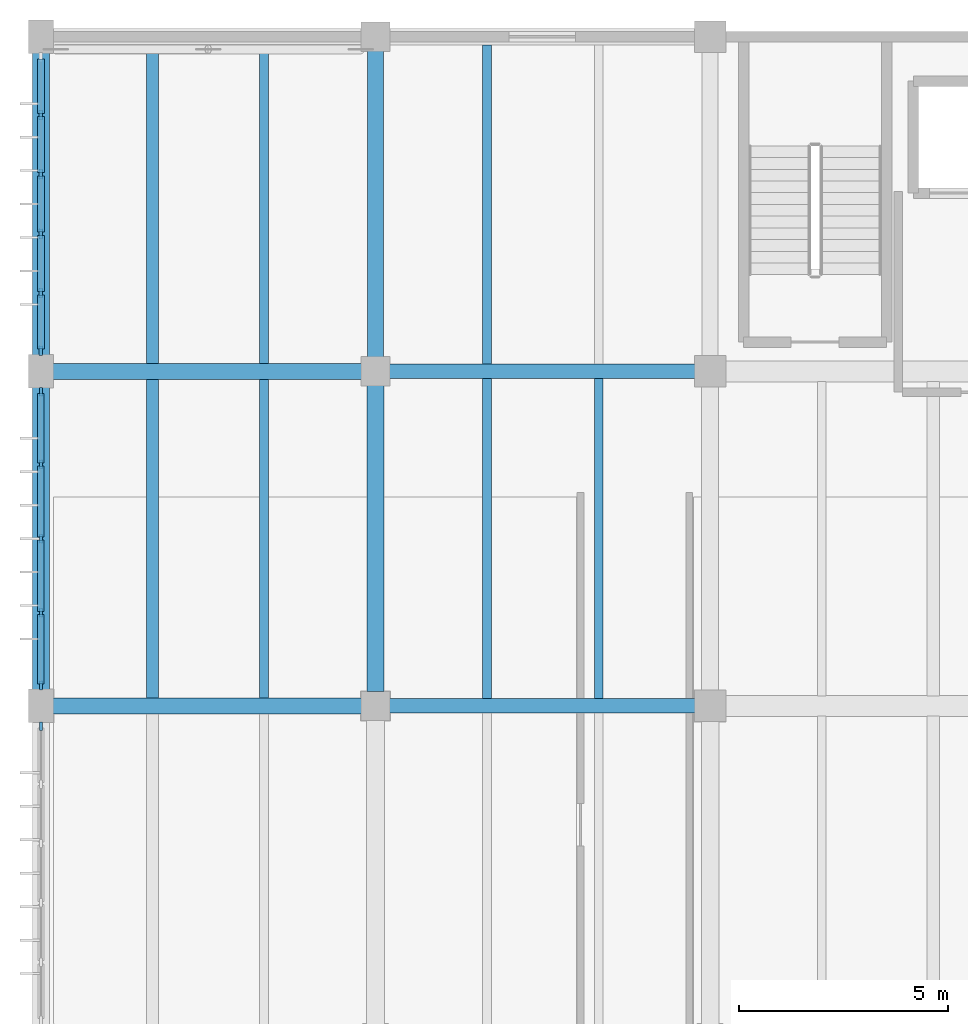
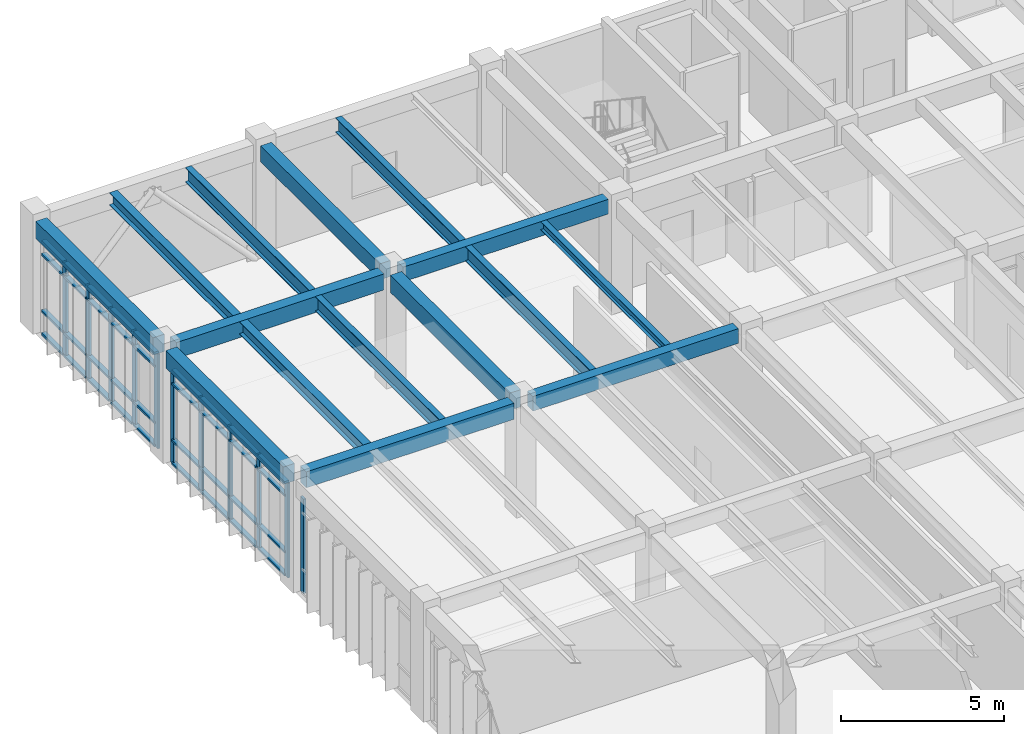
# One storey, part 20 of 79: 47 members, 15 beams, 3 elements without a shape of their own.
"""IFC4 building model written with IfcOpenShell, lengths in metres."""

from ifc_helpers import new_model, si_unit, direction, frame, origin, origin_2d, place, context, subcontext, project, spatial, rectangle, i_section, extrude, material, material_profile, profile_set, type_object, element, aggregate, save


model = new_model("IFC4")

# Units and contexts
model_context = context("Model", 3, precision=1e-05, world=origin(), true_north=direction((0.0, 1.0)))
body_context = subcontext(model_context, "Body", "Model", "MODEL_VIEW")
ifc_project = project(units=[si_unit("LENGTHUNIT", "METRE"), si_unit("AREAUNIT", "SQUARE_METRE"), si_unit("VOLUMEUNIT", "CUBIC_METRE"), si_unit("PLANEANGLEUNIT", "RADIAN"), si_unit("MASSUNIT", "GRAM", prefix="KILO")], contexts=[model_context])

# Site, building, storey
site_placement = place(None, origin())
site = spatial("IfcSite", under=ifc_project, at=site_placement, CompositionType="ELEMENT")
building_placement = place(site_placement, origin())
building = spatial("IfcBuilding", under=site, at=building_placement, Name="Tlaxcora Railside Police Headquarters", CompositionType="ELEMENT")
storey_placement = place(building_placement, frame((0.0, 0.0, 9.0)))
storey = spatial("IfcBuildingStorey", under=building, at=storey_placement, Name="L02", CompositionType="ELEMENT", Elevation=9.0)

# Curtain wall, members
ifc_material_1 = material(Name="Thermally broken low-E insulated glazing", Category="glass")
curtain_wall_type_1 = type_object("IfcCurtainWallType", Name="Unitised Curtain Wall Assembly CW-23", PredefinedType="NOTDEFINED", material=ifc_material_1)
curtain_wall_1_placement = place(storey_placement, origin())
curtain_wall_1 = element("IfcCurtainWall", 1, at=curtain_wall_1_placement, inside=storey, type_object=curtain_wall_type_1, Name="V5 L02 curtain wall 64", PredefinedType="NOTDEFINED")
ifc_material_2 = material(Name="Anodised aluminium framing", Category="aluminium")
ifc_material_profile_1 = material_profile(ifc_material_2, rectangle(XDim=0.080078125, YDim=0.219970703125, at=origin_2d()), Name="AL80X220")
ifc_profile_set_1 = profile_set([ifc_material_profile_1], Name="Anodised aluminium framing")
member_type_1 = type_object("IfcMemberType", Name="Curtain Wall Mullion CW-31", PredefinedType="MULLION", material=ifc_profile_set_1)
member_1_placement = place(storey_placement, frame((5.199951171875, 90.929931640625, 0.0), z_axis=(0.0, 0.0, 1.0), x_axis=(1.0, 0.0, 0.0)))
member_1 = element("IfcMember", 2, at=member_1_placement, type_object=member_type_1, Name="CW mullion 2", PredefinedType="MULLION", context=body_context, shape_type="SweptSolid", body=[
    extrude(rectangle(XDim=0.080078125, YDim=0.219970703125, at=origin_2d()), origin(), (0.0, 0.0, 1.0), 3.550048828125),
])
member_2_placement = place(storey_placement, frame((5.199951171875, 89.510009765625, 0.0), z_axis=(0.0, 0.0, 1.0), x_axis=(1.0, 0.0, 0.0)))
member_2 = element("IfcMember", 3, at=member_2_placement, type_object=member_type_1, Name="CW mullion 3", PredefinedType="MULLION", context=body_context, shape_type="SweptSolid", body=[
    extrude(rectangle(XDim=0.080078125, YDim=0.219970703125, at=origin_2d()), origin(), (0.0, 0.0, 1.0), 3.550048828125),
])
member_3_placement = place(storey_placement, frame((5.199951171875, 88.090087890625, 0.0), z_axis=(0.0, 0.0, 1.0), x_axis=(1.0, 0.0, 0.0)))
member_3 = element("IfcMember", 4, at=member_3_placement, type_object=member_type_1, Name="CW mullion 4", PredefinedType="MULLION", context=body_context, shape_type="SweptSolid", body=[
    extrude(rectangle(XDim=0.080078125, YDim=0.219970703125, at=origin_2d()), origin(), (0.0, 0.0, 1.0), 3.550048828125),
])
member_4_placement = place(storey_placement, frame((5.199951171875, 86.669921875, 0.0), z_axis=(0.0, 0.0, 1.0), x_axis=(1.0, 0.0, 0.0)))
member_4 = element("IfcMember", 5, at=member_4_placement, type_object=member_type_1, Name="CW mullion 5", PredefinedType="MULLION", context=body_context, shape_type="SweptSolid", body=[
    extrude(rectangle(XDim=0.080078125, YDim=0.219970703125, at=origin_2d()), origin(), (0.0, 0.0, 1.0), 3.550048828125),
])
member_5_placement = place(storey_placement, frame((5.199951171875, 85.2900390625, 0.0), z_axis=(0.0, 0.0, 1.0), x_axis=(1.0, 0.0, 0.0)))
member_5 = element("IfcMember", 6, at=member_5_placement, type_object=member_type_1, Name="CW mullion 6", PredefinedType="MULLION", context=body_context, shape_type="SweptSolid", body=[
    extrude(rectangle(XDim=0.080078125, YDim=0.219970703125, at=origin_2d()), origin(), (0.0, 0.0, 1.0), 3.550048828125),
])

curtain_wall_type_2 = type_object("IfcCurtainWallType", Name="Unitised Curtain Wall Assembly CW-38", PredefinedType="NOTDEFINED", material=ifc_material_1)
curtain_wall_2_placement = place(storey_placement, origin())
curtain_wall_2 = element("IfcCurtainWall", 7, at=curtain_wall_2_placement, inside=storey, type_object=curtain_wall_type_2, Name="V5 L02 curtain wall 65", PredefinedType="NOTDEFINED")
ifc_material_profile_2 = material_profile(ifc_material_2, rectangle(XDim=0.074951171875, YDim=0.205078125, at=origin_2d()), Name="AL75X205")
ifc_profile_set_2 = profile_set([ifc_material_profile_2], Name="Anodised aluminium framing")
member_type_2 = type_object("IfcMemberType", Name="Curtain Wall Mullion CW-32", PredefinedType="MULLION", material=ifc_profile_set_2)
member_6_placement = place(storey_placement, frame((5.199951171875, 84.3125, 0.0), z_axis=(0.0, 0.0, 1.0), x_axis=(1.0, 0.0, 0.0)))
member_6 = element("IfcMember", 8, at=member_6_placement, type_object=member_type_2, Name="CW mullion 1", PredefinedType="MULLION", context=body_context, shape_type="SweptSolid", body=[
    extrude(rectangle(XDim=0.074951171875, YDim=0.205078125, at=origin_2d()), origin(), (0.0, 0.0, 1.0), 3.550048828125),
])
member_7_placement = place(storey_placement, frame((5.199951171875, 82.574951171875, 0.0), z_axis=(0.0, 0.0, 1.0), x_axis=(1.0, 0.0, 0.0)))
member_7 = element("IfcMember", 9, at=member_7_placement, type_object=member_type_2, Name="CW mullion 2", PredefinedType="MULLION", context=body_context, shape_type="SweptSolid", body=[
    extrude(rectangle(XDim=0.074951171875, YDim=0.205078125, at=origin_2d()), origin(), (0.0, 0.0, 1.0), 3.550048828125),
])
member_8_placement = place(storey_placement, frame((5.199951171875, 80.800048828125, 0.0), z_axis=(0.0, 0.0, 1.0), x_axis=(1.0, 0.0, 0.0)))
member_8 = element("IfcMember", 10, at=member_8_placement, type_object=member_type_2, Name="CW mullion 3", PredefinedType="MULLION", context=body_context, shape_type="SweptSolid", body=[
    extrude(rectangle(XDim=0.074951171875, YDim=0.205078125, at=origin_2d()), origin(), (0.0, 0.0, 1.0), 3.550048828125),
])
member_9_placement = place(storey_placement, frame((5.199951171875, 79.02490234375, 0.0), z_axis=(0.0, 0.0, 1.0), x_axis=(1.0, 0.0, 0.0)))
member_9 = element("IfcMember", 11, at=member_9_placement, type_object=member_type_2, Name="CW mullion 4", PredefinedType="MULLION", context=body_context, shape_type="SweptSolid", body=[
    extrude(rectangle(XDim=0.074951171875, YDim=0.205078125, at=origin_2d()), origin(), (0.0, 0.0, 1.0), 3.550048828125),
])
member_10_placement = place(storey_placement, frame((5.199951171875, 77.28759765625, 0.0), z_axis=(0.0, 0.0, 1.0), x_axis=(1.0, 0.0, 0.0)))
member_10 = element("IfcMember", 12, at=member_10_placement, type_object=member_type_2, Name="CW mullion 5", PredefinedType="MULLION", context=body_context, shape_type="SweptSolid", body=[
    extrude(rectangle(XDim=0.074951171875, YDim=0.205078125, at=origin_2d()), origin(), (0.0, 0.0, 1.0), 3.550048828125),
])

# Curtain wall, member
curtain_wall_type_3 = type_object("IfcCurtainWallType", Name="Unitised Curtain Wall Assembly CW-15", PredefinedType="NOTDEFINED", material=ifc_material_1)
curtain_wall_3_placement = place(storey_placement, origin())
curtain_wall_3 = element("IfcCurtainWall", 13, at=curtain_wall_3_placement, inside=storey, type_object=curtain_wall_type_3, Name="V5 L02 curtain wall 66", PredefinedType="NOTDEFINED")
ifc_material_profile_3 = material_profile(ifc_material_2, rectangle(XDim=0.074951171875, YDim=0.199951171875, at=origin_2d()), Name="AL75X200")
ifc_profile_set_3 = profile_set([ifc_material_profile_3], Name="Anodised aluminium framing")
member_type_3 = type_object("IfcMemberType", Name="Curtain Wall Mullion CW-58", PredefinedType="MULLION", material=ifc_profile_set_3)
member_11_placement = place(storey_placement, frame((5.199951171875, 76.3125, 0.0), z_axis=(0.0, 0.0, 1.0), x_axis=(1.0, 0.0, 0.0)))
member_11 = element("IfcMember", 14, at=member_11_placement, type_object=member_type_3, Name="CW mullion 1", PredefinedType="MULLION", context=body_context, shape_type="SweptSolid", body=[
    extrude(rectangle(XDim=0.074951171875, YDim=0.199951171875, at=origin_2d()), origin(), (0.0, 0.0, 1.0), 3.550048828125),
])
aggregate(curtain_wall_3, [member_11])

# Member
ifc_material_profile_4 = material_profile(ifc_material_2, rectangle(XDim=0.155029296875, YDim=0.074951171875, at=origin_2d()), Name="AL75X155")
ifc_profile_set_4 = profile_set([ifc_material_profile_4], Name="Anodised aluminium framing")
member_type_4 = type_object("IfcMemberType", Name="Curtain Wall Transom CW-30", PredefinedType="USERDEFINED", material=ifc_profile_set_4)
member_12_placement = place(storey_placement, frame((5.199951171875, 84.27490234375, 0.03759765625), z_axis=(0.0, -1.0, 0.0), x_axis=(1.0, 0.0, 0.0)))
member_12 = element("IfcMember", 15, at=member_12_placement, type_object=member_type_4, Name="CW transom 1.1", ObjectType="TRANSOM", PredefinedType="USERDEFINED", context=body_context, shape_type="SweptSolid", body=[
    extrude(rectangle(XDim=0.155029296875, YDim=0.074951171875, at=origin_2d()), origin(), (0.0, 0.0, 1.0), 1.662353515625),
])

member_13_placement = place(storey_placement, frame((5.199951171875, 84.27490234375, 0.89990234375), z_axis=(0.0, -1.0, 0.0), x_axis=(1.0, 0.0, 0.0)))
member_13 = element("IfcMember", 16, at=member_13_placement, type_object=member_type_4, Name="CW transom 1.2", ObjectType="TRANSOM", PredefinedType="USERDEFINED", context=body_context, shape_type="SweptSolid", body=[
    extrude(rectangle(XDim=0.155029296875, YDim=0.074951171875, at=origin_2d()), origin(), (0.0, 0.0, 1.0), 1.662353515625),
])

member_14_placement = place(storey_placement, frame((5.199951171875, 84.27490234375, 3.02001953125), z_axis=(0.0, -1.0, 0.0), x_axis=(1.0, 0.0, 0.0)))
member_14 = element("IfcMember", 17, at=member_14_placement, type_object=member_type_4, Name="CW transom 1.3", ObjectType="TRANSOM", PredefinedType="USERDEFINED", context=body_context, shape_type="SweptSolid", body=[
    extrude(rectangle(XDim=0.155029296875, YDim=0.074951171875, at=origin_2d()), origin(), (0.0, 0.0, 1.0), 1.662353515625),
])

member_15_placement = place(storey_placement, frame((5.199951171875, 84.27490234375, 3.512451171875), z_axis=(0.0, -1.0, 0.0), x_axis=(1.0, 0.0, 0.0)))
member_15 = element("IfcMember", 18, at=member_15_placement, type_object=member_type_4, Name="CW transom 1.4", ObjectType="TRANSOM", PredefinedType="USERDEFINED", context=body_context, shape_type="SweptSolid", body=[
    extrude(rectangle(XDim=0.155029296875, YDim=0.074951171875, at=origin_2d()), origin(), (0.0, 0.0, 1.0), 1.662353515625),
])

member_16_placement = place(storey_placement, frame((5.199951171875, 82.53759765625, 0.03759765625), z_axis=(0.0, -1.0, 0.0), x_axis=(1.0, 0.0, 0.0)))
member_16 = element("IfcMember", 19, at=member_16_placement, type_object=member_type_4, Name="CW transom 2.1", ObjectType="TRANSOM", PredefinedType="USERDEFINED", context=body_context, shape_type="SweptSolid", body=[
    extrude(rectangle(XDim=0.155029296875, YDim=0.074951171875, at=origin_2d()), origin(), (0.0, 0.0, 1.0), 1.7001953125),
])

member_17_placement = place(storey_placement, frame((5.199951171875, 82.53759765625, 0.89990234375), z_axis=(0.0, -1.0, 0.0), x_axis=(1.0, 0.0, 0.0)))
member_17 = element("IfcMember", 20, at=member_17_placement, type_object=member_type_4, Name="CW transom 2.2", ObjectType="TRANSOM", PredefinedType="USERDEFINED", context=body_context, shape_type="SweptSolid", body=[
    extrude(rectangle(XDim=0.155029296875, YDim=0.074951171875, at=origin_2d()), origin(), (0.0, 0.0, 1.0), 1.7001953125),
])

member_18_placement = place(storey_placement, frame((5.199951171875, 82.53759765625, 3.02001953125), z_axis=(0.0, -1.0, 0.0), x_axis=(1.0, 0.0, 0.0)))
member_18 = element("IfcMember", 21, at=member_18_placement, type_object=member_type_4, Name="CW transom 2.3", ObjectType="TRANSOM", PredefinedType="USERDEFINED", context=body_context, shape_type="SweptSolid", body=[
    extrude(rectangle(XDim=0.155029296875, YDim=0.074951171875, at=origin_2d()), origin(), (0.0, 0.0, 1.0), 1.7001953125),
])

member_19_placement = place(storey_placement, frame((5.199951171875, 82.53759765625, 3.512451171875), z_axis=(0.0, -1.0, 0.0), x_axis=(1.0, 0.0, 0.0)))
member_19 = element("IfcMember", 22, at=member_19_placement, type_object=member_type_4, Name="CW transom 2.4", ObjectType="TRANSOM", PredefinedType="USERDEFINED", context=body_context, shape_type="SweptSolid", body=[
    extrude(rectangle(XDim=0.155029296875, YDim=0.074951171875, at=origin_2d()), origin(), (0.0, 0.0, 1.0), 1.7001953125),
])

member_20_placement = place(storey_placement, frame((5.199951171875, 80.762451171875, 0.03759765625), z_axis=(0.0, -1.0, 0.0), x_axis=(1.0, 0.0, 0.0)))
member_20 = element("IfcMember", 23, at=member_20_placement, type_object=member_type_4, Name="CW transom 3.1", ObjectType="TRANSOM", PredefinedType="USERDEFINED", context=body_context, shape_type="SweptSolid", body=[
    extrude(rectangle(XDim=0.155029296875, YDim=0.074951171875, at=origin_2d()), origin(), (0.0, 0.0, 1.0), 1.699951171875),
])

member_21_placement = place(storey_placement, frame((5.199951171875, 80.762451171875, 0.89990234375), z_axis=(0.0, -1.0, 0.0), x_axis=(1.0, 0.0, 0.0)))
member_21 = element("IfcMember", 24, at=member_21_placement, type_object=member_type_4, Name="CW transom 3.2", ObjectType="TRANSOM", PredefinedType="USERDEFINED", context=body_context, shape_type="SweptSolid", body=[
    extrude(rectangle(XDim=0.155029296875, YDim=0.074951171875, at=origin_2d()), origin(), (0.0, 0.0, 1.0), 1.699951171875),
])

member_22_placement = place(storey_placement, frame((5.199951171875, 80.762451171875, 3.02001953125), z_axis=(0.0, -1.0, 0.0), x_axis=(1.0, 0.0, 0.0)))
member_22 = element("IfcMember", 25, at=member_22_placement, type_object=member_type_4, Name="CW transom 3.3", ObjectType="TRANSOM", PredefinedType="USERDEFINED", context=body_context, shape_type="SweptSolid", body=[
    extrude(rectangle(XDim=0.155029296875, YDim=0.074951171875, at=origin_2d()), origin(), (0.0, 0.0, 1.0), 1.699951171875),
])

member_23_placement = place(storey_placement, frame((5.199951171875, 80.762451171875, 3.512451171875), z_axis=(0.0, -1.0, 0.0), x_axis=(1.0, 0.0, 0.0)))
member_23 = element("IfcMember", 26, at=member_23_placement, type_object=member_type_4, Name="CW transom 3.4", ObjectType="TRANSOM", PredefinedType="USERDEFINED", context=body_context, shape_type="SweptSolid", body=[
    extrude(rectangle(XDim=0.155029296875, YDim=0.074951171875, at=origin_2d()), origin(), (0.0, 0.0, 1.0), 1.699951171875),
])

member_24_placement = place(storey_placement, frame((5.199951171875, 78.987548828125, 0.03759765625), z_axis=(0.0, -1.0, 0.0), x_axis=(1.0, 0.0, 0.0)))
member_24 = element("IfcMember", 27, at=member_24_placement, type_object=member_type_4, Name="CW transom 4.1", ObjectType="TRANSOM", PredefinedType="USERDEFINED", context=body_context, shape_type="SweptSolid", body=[
    extrude(rectangle(XDim=0.155029296875, YDim=0.074951171875, at=origin_2d()), origin(), (0.0, 0.0, 1.0), 1.66259765625),
])

member_25_placement = place(storey_placement, frame((5.199951171875, 78.987548828125, 0.89990234375), z_axis=(0.0, -1.0, 0.0), x_axis=(1.0, 0.0, 0.0)))
member_25 = element("IfcMember", 28, at=member_25_placement, type_object=member_type_4, Name="CW transom 4.2", ObjectType="TRANSOM", PredefinedType="USERDEFINED", context=body_context, shape_type="SweptSolid", body=[
    extrude(rectangle(XDim=0.155029296875, YDim=0.074951171875, at=origin_2d()), origin(), (0.0, 0.0, 1.0), 1.66259765625),
])

member_26_placement = place(storey_placement, frame((5.199951171875, 78.987548828125, 3.02001953125), z_axis=(0.0, -1.0, 0.0), x_axis=(1.0, 0.0, 0.0)))
member_26 = element("IfcMember", 29, at=member_26_placement, type_object=member_type_4, Name="CW transom 4.3", ObjectType="TRANSOM", PredefinedType="USERDEFINED", context=body_context, shape_type="SweptSolid", body=[
    extrude(rectangle(XDim=0.155029296875, YDim=0.074951171875, at=origin_2d()), origin(), (0.0, 0.0, 1.0), 1.66259765625),
])

member_27_placement = place(storey_placement, frame((5.199951171875, 78.987548828125, 3.512451171875), z_axis=(0.0, -1.0, 0.0), x_axis=(1.0, 0.0, 0.0)))
member_27 = element("IfcMember", 30, at=member_27_placement, type_object=member_type_4, Name="CW transom 4.4", ObjectType="TRANSOM", PredefinedType="USERDEFINED", context=body_context, shape_type="SweptSolid", body=[
    extrude(rectangle(XDim=0.155029296875, YDim=0.074951171875, at=origin_2d()), origin(), (0.0, 0.0, 1.0), 1.66259765625),
])

aggregate(curtain_wall_2, [member_6, member_7, member_8, member_9, member_10, member_12, member_13, member_14, member_15, member_16, member_17, member_18, member_19, member_20, member_21, member_22, member_23, member_24, member_25, member_26, member_27])

ifc_material_profile_5 = material_profile(ifc_material_2, rectangle(XDim=0.1650390625, YDim=0.080078125, at=origin_2d()), Name="AL80X165")
ifc_profile_set_5 = profile_set([ifc_material_profile_5], Name="Anodised aluminium framing")
member_type_5 = type_object("IfcMemberType", Name="Curtain Wall Transom CW-62", PredefinedType="USERDEFINED", material=ifc_profile_set_5)
member_28_placement = place(storey_placement, frame((5.199951171875, 92.27001953125, 0.0400390625), z_axis=(0.0, -1.0, 0.0), x_axis=(1.0, 0.0, 0.0)))
member_28 = element("IfcMember", 31, at=member_28_placement, type_object=member_type_5, Name="CW transom 1.1", ObjectType="TRANSOM", PredefinedType="USERDEFINED", context=body_context, shape_type="SweptSolid", body=[
    extrude(rectangle(XDim=0.1650390625, YDim=0.080078125, at=origin_2d()), origin(), (0.0, 0.0, 1.0), 1.300048828125),
])

member_29_placement = place(storey_placement, frame((5.199951171875, 92.27001953125, 0.89990234375), z_axis=(0.0, -1.0, 0.0), x_axis=(1.0, 0.0, 0.0)))
member_29 = element("IfcMember", 32, at=member_29_placement, type_object=member_type_5, Name="CW transom 1.2", ObjectType="TRANSOM", PredefinedType="USERDEFINED", context=body_context, shape_type="SweptSolid", body=[
    extrude(rectangle(XDim=0.1650390625, YDim=0.080078125, at=origin_2d()), origin(), (0.0, 0.0, 1.0), 1.300048828125),
])

member_30_placement = place(storey_placement, frame((5.199951171875, 92.27001953125, 3.02001953125), z_axis=(0.0, -1.0, 0.0), x_axis=(1.0, 0.0, 0.0)))
member_30 = element("IfcMember", 33, at=member_30_placement, type_object=member_type_5, Name="CW transom 1.3", ObjectType="TRANSOM", PredefinedType="USERDEFINED", context=body_context, shape_type="SweptSolid", body=[
    extrude(rectangle(XDim=0.1650390625, YDim=0.080078125, at=origin_2d()), origin(), (0.0, 0.0, 1.0), 1.300048828125),
])

member_31_placement = place(storey_placement, frame((5.199951171875, 92.27001953125, 3.510009765625), z_axis=(0.0, -1.0, 0.0), x_axis=(1.0, 0.0, 0.0)))
member_31 = element("IfcMember", 34, at=member_31_placement, type_object=member_type_5, Name="CW transom 1.4", ObjectType="TRANSOM", PredefinedType="USERDEFINED", context=body_context, shape_type="SweptSolid", body=[
    extrude(rectangle(XDim=0.1650390625, YDim=0.080078125, at=origin_2d()), origin(), (0.0, 0.0, 1.0), 1.300048828125),
])

member_32_placement = place(storey_placement, frame((5.199951171875, 90.889892578125, 0.0400390625), z_axis=(0.0, -1.0, 0.0), x_axis=(1.0, 0.0, 0.0)))
member_32 = element("IfcMember", 35, at=member_32_placement, type_object=member_type_5, Name="CW transom 2.1", ObjectType="TRANSOM", PredefinedType="USERDEFINED", context=body_context, shape_type="SweptSolid", body=[
    extrude(rectangle(XDim=0.1650390625, YDim=0.080078125, at=origin_2d()), origin(), (0.0, 0.0, 1.0), 1.33984375),
])

member_33_placement = place(storey_placement, frame((5.199951171875, 90.889892578125, 0.89990234375), z_axis=(0.0, -1.0, 0.0), x_axis=(1.0, 0.0, 0.0)))
member_33 = element("IfcMember", 36, at=member_33_placement, type_object=member_type_5, Name="CW transom 2.2", ObjectType="TRANSOM", PredefinedType="USERDEFINED", context=body_context, shape_type="SweptSolid", body=[
    extrude(rectangle(XDim=0.1650390625, YDim=0.080078125, at=origin_2d()), origin(), (0.0, 0.0, 1.0), 1.33984375),
])

member_34_placement = place(storey_placement, frame((5.199951171875, 90.889892578125, 3.02001953125), z_axis=(0.0, -1.0, 0.0), x_axis=(1.0, 0.0, 0.0)))
member_34 = element("IfcMember", 37, at=member_34_placement, type_object=member_type_5, Name="CW transom 2.3", ObjectType="TRANSOM", PredefinedType="USERDEFINED", context=body_context, shape_type="SweptSolid", body=[
    extrude(rectangle(XDim=0.1650390625, YDim=0.080078125, at=origin_2d()), origin(), (0.0, 0.0, 1.0), 1.33984375),
])

member_35_placement = place(storey_placement, frame((5.199951171875, 90.889892578125, 3.510009765625), z_axis=(0.0, -1.0, 0.0), x_axis=(1.0, 0.0, 0.0)))
member_35 = element("IfcMember", 38, at=member_35_placement, type_object=member_type_5, Name="CW transom 2.4", ObjectType="TRANSOM", PredefinedType="USERDEFINED", context=body_context, shape_type="SweptSolid", body=[
    extrude(rectangle(XDim=0.1650390625, YDim=0.080078125, at=origin_2d()), origin(), (0.0, 0.0, 1.0), 1.33984375),
])

member_36_placement = place(storey_placement, frame((5.199951171875, 89.469970703125, 0.0400390625), z_axis=(0.0, -1.0, 0.0), x_axis=(1.0, 0.0, 0.0)))
member_36 = element("IfcMember", 39, at=member_36_placement, type_object=member_type_5, Name="CW transom 3.1", ObjectType="TRANSOM", PredefinedType="USERDEFINED", context=body_context, shape_type="SweptSolid", body=[
    extrude(rectangle(XDim=0.1650390625, YDim=0.080078125, at=origin_2d()), origin(), (0.0, 0.0, 1.0), 1.340087890625),
])

member_37_placement = place(storey_placement, frame((5.199951171875, 89.469970703125, 0.89990234375), z_axis=(0.0, -1.0, 0.0), x_axis=(1.0, 0.0, 0.0)))
member_37 = element("IfcMember", 40, at=member_37_placement, type_object=member_type_5, Name="CW transom 3.2", ObjectType="TRANSOM", PredefinedType="USERDEFINED", context=body_context, shape_type="SweptSolid", body=[
    extrude(rectangle(XDim=0.1650390625, YDim=0.080078125, at=origin_2d()), origin(), (0.0, 0.0, 1.0), 1.340087890625),
])

member_38_placement = place(storey_placement, frame((5.199951171875, 89.469970703125, 3.02001953125), z_axis=(0.0, -1.0, 0.0), x_axis=(1.0, 0.0, 0.0)))
member_38 = element("IfcMember", 41, at=member_38_placement, type_object=member_type_5, Name="CW transom 3.3", ObjectType="TRANSOM", PredefinedType="USERDEFINED", context=body_context, shape_type="SweptSolid", body=[
    extrude(rectangle(XDim=0.1650390625, YDim=0.080078125, at=origin_2d()), origin(), (0.0, 0.0, 1.0), 1.340087890625),
])

member_39_placement = place(storey_placement, frame((5.199951171875, 89.469970703125, 3.510009765625), z_axis=(0.0, -1.0, 0.0), x_axis=(1.0, 0.0, 0.0)))
member_39 = element("IfcMember", 42, at=member_39_placement, type_object=member_type_5, Name="CW transom 3.4", ObjectType="TRANSOM", PredefinedType="USERDEFINED", context=body_context, shape_type="SweptSolid", body=[
    extrude(rectangle(XDim=0.1650390625, YDim=0.080078125, at=origin_2d()), origin(), (0.0, 0.0, 1.0), 1.340087890625),
])

member_40_placement = place(storey_placement, frame((5.199951171875, 88.050048828125, 0.0400390625), z_axis=(0.0, -1.0, 0.0), x_axis=(1.0, 0.0, 0.0)))
member_40 = element("IfcMember", 43, at=member_40_placement, type_object=member_type_5, Name="CW transom 4.1", ObjectType="TRANSOM", PredefinedType="USERDEFINED", context=body_context, shape_type="SweptSolid", body=[
    extrude(rectangle(XDim=0.1650390625, YDim=0.080078125, at=origin_2d()), origin(), (0.0, 0.0, 1.0), 1.340087890625),
])

member_41_placement = place(storey_placement, frame((5.199951171875, 88.050048828125, 0.89990234375), z_axis=(0.0, -1.0, 0.0), x_axis=(1.0, 0.0, 0.0)))
member_41 = element("IfcMember", 44, at=member_41_placement, type_object=member_type_5, Name="CW transom 4.2", ObjectType="TRANSOM", PredefinedType="USERDEFINED", context=body_context, shape_type="SweptSolid", body=[
    extrude(rectangle(XDim=0.1650390625, YDim=0.080078125, at=origin_2d()), origin(), (0.0, 0.0, 1.0), 1.340087890625),
])

member_42_placement = place(storey_placement, frame((5.199951171875, 88.050048828125, 3.02001953125), z_axis=(0.0, -1.0, 0.0), x_axis=(1.0, 0.0, 0.0)))
member_42 = element("IfcMember", 45, at=member_42_placement, type_object=member_type_5, Name="CW transom 4.3", ObjectType="TRANSOM", PredefinedType="USERDEFINED", context=body_context, shape_type="SweptSolid", body=[
    extrude(rectangle(XDim=0.1650390625, YDim=0.080078125, at=origin_2d()), origin(), (0.0, 0.0, 1.0), 1.340087890625),
])

member_43_placement = place(storey_placement, frame((5.199951171875, 88.050048828125, 3.510009765625), z_axis=(0.0, -1.0, 0.0), x_axis=(1.0, 0.0, 0.0)))
member_43 = element("IfcMember", 46, at=member_43_placement, type_object=member_type_5, Name="CW transom 4.4", ObjectType="TRANSOM", PredefinedType="USERDEFINED", context=body_context, shape_type="SweptSolid", body=[
    extrude(rectangle(XDim=0.1650390625, YDim=0.080078125, at=origin_2d()), origin(), (0.0, 0.0, 1.0), 1.340087890625),
])

member_44_placement = place(storey_placement, frame((5.199951171875, 86.6298828125, 0.0400390625), z_axis=(0.0, -1.0, 0.0), x_axis=(1.0, 0.0, 0.0)))
member_44 = element("IfcMember", 47, at=member_44_placement, type_object=member_type_5, Name="CW transom 5.1", ObjectType="TRANSOM", PredefinedType="USERDEFINED", context=body_context, shape_type="SweptSolid", body=[
    extrude(rectangle(XDim=0.1650390625, YDim=0.080078125, at=origin_2d()), origin(), (0.0, 0.0, 1.0), 1.2998046875),
])

member_45_placement = place(storey_placement, frame((5.199951171875, 86.6298828125, 0.89990234375), z_axis=(0.0, -1.0, 0.0), x_axis=(1.0, 0.0, 0.0)))
member_45 = element("IfcMember", 48, at=member_45_placement, type_object=member_type_5, Name="CW transom 5.2", ObjectType="TRANSOM", PredefinedType="USERDEFINED", context=body_context, shape_type="SweptSolid", body=[
    extrude(rectangle(XDim=0.1650390625, YDim=0.080078125, at=origin_2d()), origin(), (0.0, 0.0, 1.0), 1.2998046875),
])

member_46_placement = place(storey_placement, frame((5.199951171875, 86.6298828125, 3.02001953125), z_axis=(0.0, -1.0, 0.0), x_axis=(1.0, 0.0, 0.0)))
member_46 = element("IfcMember", 49, at=member_46_placement, type_object=member_type_5, Name="CW transom 5.3", ObjectType="TRANSOM", PredefinedType="USERDEFINED", context=body_context, shape_type="SweptSolid", body=[
    extrude(rectangle(XDim=0.1650390625, YDim=0.080078125, at=origin_2d()), origin(), (0.0, 0.0, 1.0), 1.2998046875),
])

member_47_placement = place(storey_placement, frame((5.199951171875, 86.6298828125, 3.510009765625), z_axis=(0.0, -1.0, 0.0), x_axis=(1.0, 0.0, 0.0)))
member_47 = element("IfcMember", 50, at=member_47_placement, type_object=member_type_5, Name="CW transom 5.4", ObjectType="TRANSOM", PredefinedType="USERDEFINED", context=body_context, shape_type="SweptSolid", body=[
    extrude(rectangle(XDim=0.1650390625, YDim=0.080078125, at=origin_2d()), origin(), (0.0, 0.0, 1.0), 1.2998046875),
])

aggregate(curtain_wall_1, [member_1, member_2, member_3, member_4, member_5, member_28, member_29, member_30, member_31, member_32, member_33, member_34, member_35, member_36, member_37, member_38, member_39, member_40, member_41, member_42, member_43, member_44, member_45, member_46, member_47])

# Beams
ifc_material_3 = material(Name="Concrete C40/50", Category="concrete")
ifc_material_profile_6 = material_profile(ifc_material_3, rectangle(XDim=0.39990234375, YDim=0.64990234375, at=origin_2d()), Name="RC400X650")
ifc_profile_set_6 = profile_set([ifc_material_profile_6], Name="Concrete C40/50")
beam_type_1 = type_object("IfcBeamType", Name="Perimeter Spandrel Beam BM-46", PredefinedType="SPANDREL", material=ifc_profile_set_6)
for number, where, z_axis, x_axis, name in (
    (51, (5.199951171875, 77.18994140625, 3.89501953125), (0.0, 1.0, 0.0), (-1.0, 0.0, 0.0), "V5 L02 Y-girder X=5.2"),
    (52, (5.199951171875, 85.18994140625, 3.89501953125), (0.0, 1.0, 0.0), (-1.0, 0.0, 0.0), "V5 L02 Y-girder X=5.2"),
):
    element("IfcBeam", number, at=place(storey_placement, frame(where, z_axis=z_axis, x_axis=x_axis)), inside=storey, type_object=beam_type_1, Name=name, PredefinedType="SPANDREL", context=body_context, shape_type="SweptSolid", body=[
        extrude(rectangle(XDim=0.39990234375, YDim=0.64990234375, at=origin_2d()), origin(), (0.0, 0.0, 1.0), 7.219970703125),
    ])
ifc_material_profile_7 = material_profile(ifc_material_3, rectangle(XDim=0.3798828125, YDim=0.60009765625, at=origin_2d()), Name="RC380X600")
ifc_profile_set_7 = profile_set([ifc_material_profile_7], Name="Concrete C40/50")
beam_type_2 = type_object("IfcBeamType", Name="Primary Frame Girder BM-22", PredefinedType="BEAM", material=ifc_profile_set_7)
for number, where, z_axis, x_axis, name in (
    (53, (5.489990234375, 76.800048828125, 3.919921875), (1.0, 0.0, 0.0), (0.0, 1.0, 0.0), "V5 L02 X-girder Y=76.8"),
    (54, (5.489990234375, 84.800048828125, 3.919921875), (1.0, 0.0, 0.0), (0.0, 1.0, 0.0), "V5 L02 X-girder Y=84.8"),
):
    element("IfcBeam", number, at=place(storey_placement, frame(where, z_axis=z_axis, x_axis=x_axis)), inside=storey, type_object=beam_type_2, Name=name, PredefinedType="BEAM", context=body_context, shape_type="SweptSolid", body=[
        extrude(rectangle(XDim=0.3798828125, YDim=0.60009765625, at=origin_2d()), origin(), (0.0, 0.0, 1.0), 7.3701171875),
    ])
beam_1_placement = place(storey_placement, frame((13.199951171875, 85.139892578125, 3.919921875), z_axis=(0.0, 1.0, 0.0), x_axis=(-1.0, 0.0, 0.0)))
element("IfcBeam", 55, at=beam_1_placement, inside=storey, type_object=beam_type_2, Name="V5 L02 Y-girder X=13.2", PredefinedType="BEAM", context=body_context, shape_type="SweptSolid", body=[
    extrude(rectangle(XDim=0.3798828125, YDim=0.60009765625, at=origin_2d()), origin(), (0.0, 0.0, 1.0), 7.320068359375),
])
ifc_material_profile_8 = material_profile(ifc_material_3, rectangle(XDim=0.35009765625, YDim=0.550048828125, at=origin_2d()), Name="RC350X550")
ifc_profile_set_8 = profile_set([ifc_material_profile_8], Name="Concrete C40/50")
beam_type_3 = type_object("IfcBeamType", Name="Primary Frame Girder BM-39", PredefinedType="BEAM", material=ifc_profile_set_8)
for number, where, z_axis, x_axis, name in (
    (56, (13.5400390625, 76.800048828125, 3.945068359375), (1.0, 0.0, 0.0), (0.0, 1.0, 0.0), "V5 L02 X-girder Y=76.8"),
    (57, (13.5400390625, 84.800048828125, 3.945068359375), (1.0, 0.0, 0.0), (0.0, 1.0, 0.0), "V5 L02 X-girder Y=84.8"),
):
    element("IfcBeam", number, at=place(storey_placement, frame(where, z_axis=z_axis, x_axis=x_axis)), inside=storey, type_object=beam_type_3, Name=name, PredefinedType="BEAM", context=body_context, shape_type="SweptSolid", body=[
        extrude(rectangle(XDim=0.35009765625, YDim=0.550048828125, at=origin_2d()), origin(), (0.0, 0.0, 1.0), 7.294921875),
    ])
ifc_material_profile_9 = material_profile(ifc_material_3, rectangle(XDim=0.39990234375, YDim=0.64990234375, at=origin_2d()), Name="RC400X650")
ifc_profile_set_9 = profile_set([ifc_material_profile_9], Name="Concrete C40/50")
beam_type_4 = type_object("IfcBeamType", Name="Primary Frame Girder BM-41", PredefinedType="BEAM", material=ifc_profile_set_9)
beam_2_placement = place(storey_placement, frame((13.199951171875, 77.139892578125, 3.89501953125), z_axis=(0.0, 1.0, 0.0), x_axis=(-1.0, 0.0, 0.0)))
element("IfcBeam", 58, at=beam_2_placement, inside=storey, type_object=beam_type_4, Name="V5 L02 Y-girder X=13.2", PredefinedType="BEAM", context=body_context, shape_type="SweptSolid", body=[
    extrude(rectangle(XDim=0.39990234375, YDim=0.64990234375, at=origin_2d()), origin(), (0.0, 0.0, 1.0), 7.320068359375),
])
ifc_material_4 = material(Name="Steel ASTM A992 Grade 50", Category="steel")
ifc_material_profile_10 = material_profile(ifc_material_4, i_section(OverallWidth=0.280029296875, OverallDepth=0.4619140625, WebThickness=0.0107421875, FlangeThickness=0.017333984375, at=origin_2d()), Name="W18X76")
ifc_profile_set_10 = profile_set([ifc_material_profile_10], Name="Steel ASTM A992 Grade 50")
beam_type_5 = type_object("IfcBeamType", Name="Secondary Floor Joist BM-44", PredefinedType="JOIST", material=ifc_profile_set_10)
beam_3_placement = place(storey_placement, frame((7.86669921875, 76.98193359375, 3.989013671875), z_axis=(0.0, 1.0, 0.0), x_axis=(-1.0, 0.0, 0.0)))
element("IfcBeam", 59, at=beam_3_placement, inside=storey, type_object=beam_type_5, Name="V5 L02 floor joist X=7.87", PredefinedType="JOIST", context=body_context, shape_type="SweptSolid", body=[
    extrude(i_section(OverallWidth=0.280029296875, OverallDepth=0.4619140625, WebThickness=0.0107421875, FlangeThickness=0.017333984375, at=origin_2d()), origin(), (0.0, 0.0, 1.0), 7.635986328125),
])
beam_4_placement = place(storey_placement, frame((7.86669921875, 84.98193359375, 3.989013671875), z_axis=(0.0, 1.0, 0.0), x_axis=(-1.0, 0.0, 0.0)))
element("IfcBeam", 60, at=beam_4_placement, inside=storey, type_object=beam_type_5, Name="V5 L02 floor joist X=7.87", PredefinedType="JOIST", context=body_context, shape_type="SweptSolid", body=[
    extrude(i_section(OverallWidth=0.280029296875, OverallDepth=0.4619140625, WebThickness=0.0107421875, FlangeThickness=0.017333984375, at=origin_2d()), origin(), (0.0, 0.0, 1.0), 7.6259765625),
])
ifc_material_profile_11 = material_profile(ifc_material_4, i_section(OverallWidth=0.202880859375, OverallDepth=0.302978515625, WebThickness=0.007568359375, FlangeThickness=0.01318359375, at=origin_2d()), Name="W12X40")
ifc_profile_set_11 = profile_set([ifc_material_profile_11], Name="Steel ASTM A992 Grade 50")
beam_type_6 = type_object("IfcBeamType", Name="Secondary Floor Joist BM-96", PredefinedType="JOIST", material=ifc_profile_set_11)
beam_5_placement = place(storey_placement, frame((18.533203125, 76.967041015625, 4.068603515625), z_axis=(0.0, 1.0, 0.0), x_axis=(-1.0, 0.0, 0.0)))
element("IfcBeam", 61, at=beam_5_placement, inside=storey, type_object=beam_type_6, Name="V5 L02 floor joist X=18.53", PredefinedType="JOIST", context=body_context, shape_type="SweptSolid", body=[
    extrude(i_section(OverallWidth=0.202880859375, OverallDepth=0.302978515625, WebThickness=0.007568359375, FlangeThickness=0.01318359375, at=origin_2d()), origin(), (0.0, 0.0, 1.0), 7.666015625),
])
ifc_material_profile_12 = material_profile(ifc_material_4, i_section(OverallWidth=0.214111328125, OverallDepth=0.549072265625, WebThickness=0.0146484375, FlangeThickness=0.023681640625, at=origin_2d()), Name="W21X93")
ifc_profile_set_12 = profile_set([ifc_material_profile_12], Name="Steel ASTM A992 Grade 50")
beam_type_7 = type_object("IfcBeamType", Name="Secondary Floor Joist BM-97", PredefinedType="JOIST", material=ifc_profile_set_12)
beam_6_placement = place(storey_placement, frame((10.533203125, 76.98193359375, 3.945556640625), z_axis=(0.0, 1.0, 0.0), x_axis=(-1.0, 0.0, 0.0)))
element("IfcBeam", 62, at=beam_6_placement, inside=storey, type_object=beam_type_7, Name="V5 L02 floor joist X=10.53", PredefinedType="JOIST", context=body_context, shape_type="SweptSolid", body=[
    extrude(i_section(OverallWidth=0.214111328125, OverallDepth=0.549072265625, WebThickness=0.0146484375, FlangeThickness=0.023681640625, at=origin_2d()), origin(), (0.0, 0.0, 1.0), 7.635986328125),
])
beam_7_placement = place(storey_placement, frame((15.86669921875, 76.967041015625, 3.945556640625), z_axis=(0.0, 1.0, 0.0), x_axis=(-1.0, 0.0, 0.0)))
element("IfcBeam", 63, at=beam_7_placement, inside=storey, type_object=beam_type_7, Name="V5 L02 floor joist X=15.87", PredefinedType="JOIST", context=body_context, shape_type="SweptSolid", body=[
    extrude(i_section(OverallWidth=0.214111328125, OverallDepth=0.549072265625, WebThickness=0.0146484375, FlangeThickness=0.023681640625, at=origin_2d()), origin(), (0.0, 0.0, 1.0), 7.666015625),
])
beam_8_placement = place(storey_placement, frame((10.533203125, 84.98193359375, 3.945556640625), z_axis=(0.0, 1.0, 0.0), x_axis=(-1.0, 0.0, 0.0)))
element("IfcBeam", 64, at=beam_8_placement, inside=storey, type_object=beam_type_7, Name="V5 L02 floor joist X=10.53", PredefinedType="JOIST", context=body_context, shape_type="SweptSolid", body=[
    extrude(i_section(OverallWidth=0.214111328125, OverallDepth=0.549072265625, WebThickness=0.0146484375, FlangeThickness=0.023681640625, at=origin_2d()), origin(), (0.0, 0.0, 1.0), 7.6259765625),
])
beam_9_placement = place(storey_placement, frame((15.86669921875, 84.967041015625, 3.945556640625), z_axis=(0.0, 1.0, 0.0), x_axis=(-1.0, 0.0, 0.0)))
element("IfcBeam", 65, at=beam_9_placement, inside=storey, type_object=beam_type_7, Name="V5 L02 floor joist X=15.87", PredefinedType="JOIST", context=body_context, shape_type="SweptSolid", body=[
    extrude(i_section(OverallWidth=0.214111328125, OverallDepth=0.549072265625, WebThickness=0.0146484375, FlangeThickness=0.023681640625, at=origin_2d()), origin(), (0.0, 0.0, 1.0), 7.640869140625),
])

save(model, "model.ifc")
